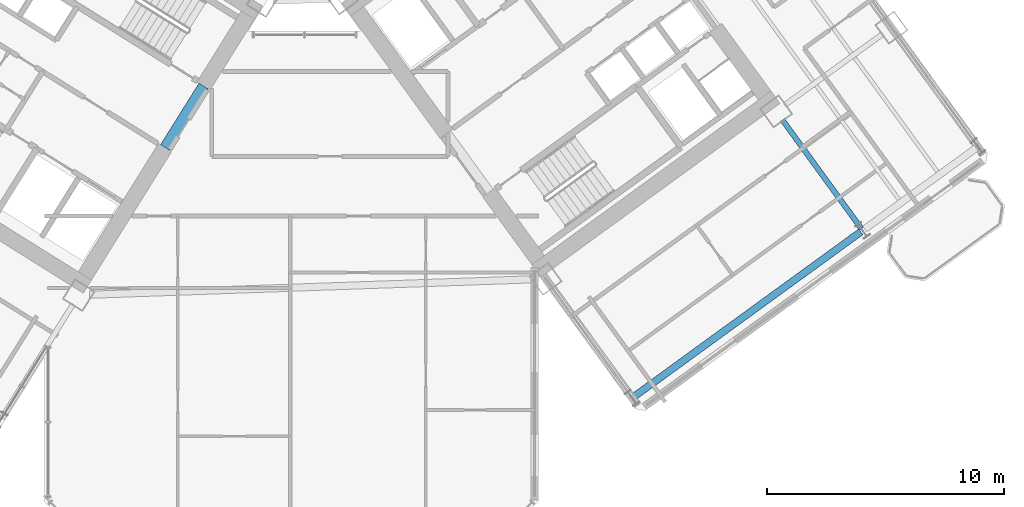
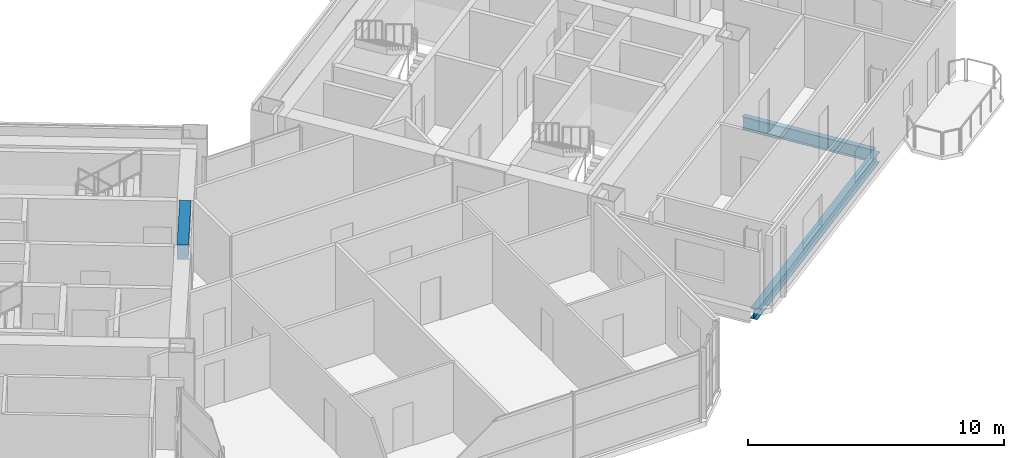
# One storey, part 10 of 28: 3 beams.
"""IFC4 building model written with IfcOpenShell, lengths in metres."""

from ifc_helpers import new_model, si_unit, direction, frame, origin, origin_2d, place, context, subcontext, project, spatial, rectangle, i_section, extrude, source, transform, mapped, material, material_profile, profile_set, type_object, element, save


model = new_model("IFC4")

# Units and contexts
model_context = context("Model", 3, precision=1e-05, world=origin(), true_north=direction((0.0, 1.0)))
body_context = subcontext(model_context, "Body", "Model", "MODEL_VIEW")
ifc_project = project(units=[si_unit("LENGTHUNIT", "METRE"), si_unit("AREAUNIT", "SQUARE_METRE"), si_unit("VOLUMEUNIT", "CUBIC_METRE"), si_unit("PLANEANGLEUNIT", "RADIAN"), si_unit("MASSUNIT", "GRAM", prefix="KILO")], contexts=[model_context])

# Site, building, storey
site_placement = place(None, origin())
site = spatial("IfcSite", under=ifc_project, at=site_placement, CompositionType="ELEMENT")
building_placement = place(site_placement, origin())
building = spatial("IfcBuilding", under=site, at=building_placement, Name="Tlacorven Tower", CompositionType="ELEMENT")
storey_placement = place(building_placement, frame((0.0, 0.0, 49.199951171875)))
storey = spatial("IfcBuildingStorey", under=building, at=storey_placement, Name="L12", CompositionType="ELEMENT", Elevation=49.199951171875)

# Beams
ifc_material_1 = material(Name="Concrete C60/75", Category="concrete")
ifc_material_profile_1 = material_profile(ifc_material_1, rectangle(XDim=0.449951171875, YDim=0.699951171875, at=origin_2d()), Name="RC 450X700")
ifc_profile_set_1 = profile_set([ifc_material_profile_1], Name="Concrete C60/75")
beam_type_1 = type_object("IfcBeamType", Name="BM-LNT-700", PredefinedType="LINTEL", material=ifc_profile_set_1)
shared_shape_1 = source(origin(), body_context, "Body", "SweptSolid", [
    extrude(rectangle(XDim=0.449951171875, YDim=0.699951171875, at=origin_2d()), origin(), (0.0, 0.0, 1.0), 3.050048828125),
])
beam_1_placement = place(storey_placement, frame((38.2998046875, 20.890625, 3.0), z_axis=(-0.529984549635, -0.848007297815, 0.0), x_axis=(0.848007297815, -0.529984549635, 0.0)))
element("IfcBeam", 1, at=beam_1_placement, inside=storey, type_object=beam_type_1, Name="L12 W core coupling lintel beam E1", PredefinedType="LINTEL", context=body_context, shape_type="MappedRepresentation", body=[
    mapped(shared_shape_1, transform((0.0, 0.0, 0.0), scale=1.0)),
])
ifc_material_2 = material(Name="Steel S355J2", Category="steel")
ifc_material_profile_2 = material_profile(ifc_material_2, i_section(OverallWidth=0.219970703125, OverallDepth=0.60009765625, WebThickness=0.011962890625, FlangeThickness=0.01904296875, at=origin_2d()), Name="IPE 600")
ifc_profile_set_2 = profile_set([ifc_material_profile_2], Name="Steel S355J2")
beam_type_2 = type_object("IfcBeamType", Name="BM-TWR-600", PredefinedType="BEAM", material=ifc_profile_set_2)
shared_shape_2 = source(origin(), body_context, "Body", "SweptSolid", [
    extrude(i_section(OverallWidth=0.219970703125, OverallDepth=0.60009765625, WebThickness=0.011962890625, FlangeThickness=0.01904296875, at=origin_2d()), origin(), (0.0, 0.0, 1.0), 5.64990234375),
])
beam_2_placement = place(storey_placement, frame((65.9990234375, 14.891845703125, -0.550048828125), z_axis=(-0.587755393186, 0.809038687444, 0.0), x_axis=(-0.809038687444, -0.587755393186, 0.0)))
element("IfcBeam", 2, at=beam_2_placement, inside=storey, type_object=beam_type_2, Name="L12 beam BM-L12-ET3-1", PredefinedType="BEAM", context=body_context, shape_type="MappedRepresentation", body=[
    mapped(shared_shape_2, transform((0.0, 0.0, 0.0), scale=1.0)),
])
ifc_material_profile_3 = material_profile(ifc_material_2, i_section(OverallWidth=0.300048828125, OverallDepth=0.489990234375, WebThickness=0.011962890625, FlangeThickness=0.02294921875, at=origin_2d()), Name="HEA 500")
ifc_profile_set_3 = profile_set([ifc_material_profile_3], Name="Steel S355J2")
beam_type_3 = type_object("IfcBeamType", Name="BM-SPN-500", PredefinedType="SPANDREL", material=ifc_profile_set_3)
shared_shape_3 = source(origin(), body_context, "Body", "SweptSolid", [
    extrude(i_section(OverallWidth=0.300048828125, OverallDepth=0.489990234375, WebThickness=0.011962890625, FlangeThickness=0.02294921875, at=origin_2d()), origin(), (0.0, 0.0, 1.0), 11.800048828125),
])
beam_3_placement = place(storey_placement, frame((56.4306640625, 7.816162109375, -0.494873046875), z_axis=(0.80900977213, 0.587795192732, 0.0), x_axis=(-0.587795192732, 0.80900977213, 0.0)))
element("IfcBeam", 3, at=beam_3_placement, inside=storey, type_object=beam_type_3, Name="L12 beam BM-L12-EL1-1", PredefinedType="SPANDREL", context=body_context, shape_type="MappedRepresentation", body=[
    mapped(shared_shape_3, transform((0.0, 0.0, 0.0), scale=1.0)),
])

save(model, "model.ifc")
